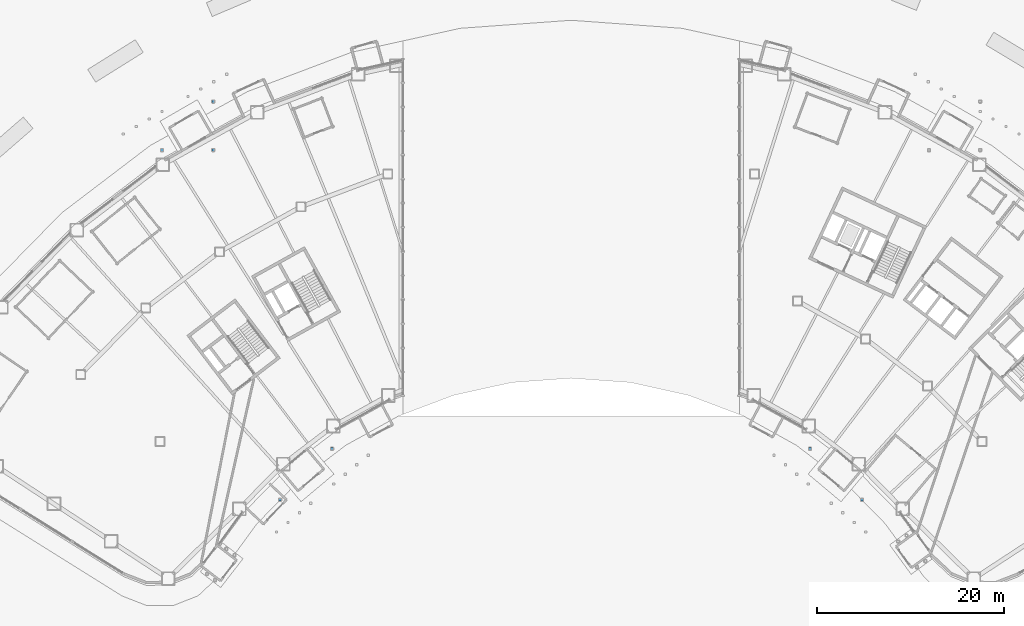
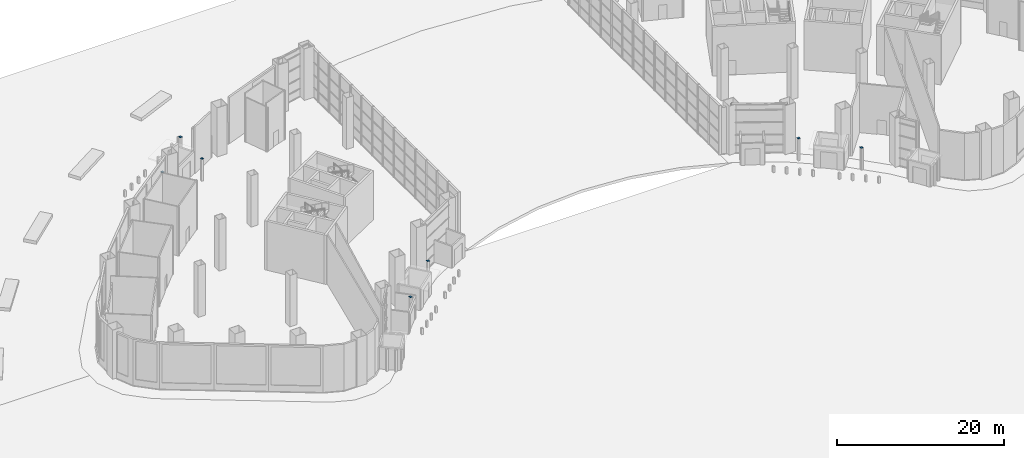
# One storey, part 38 of 45: 7 discrete accessories.
"""IFC4 building model written with IfcOpenShell, lengths in metres."""

from ifc_helpers import new_model, si_unit, direction, frame, origin, origin_2d, place, context, subcontext, project, spatial, rectangle, extrude, material, type_object, element, save


model = new_model("IFC4")

# Units and contexts
model_context = context("Model", 3, precision=1e-05, world=origin(), true_north=direction((0.0, 1.0)))
body_context = subcontext(model_context, "Body", "Model", "MODEL_VIEW")
ifc_project = project(units=[si_unit("LENGTHUNIT", "METRE"), si_unit("AREAUNIT", "SQUARE_METRE"), si_unit("VOLUMEUNIT", "CUBIC_METRE"), si_unit("PLANEANGLEUNIT", "RADIAN"), si_unit("MASSUNIT", "GRAM", prefix="KILO")], contexts=[model_context])

# Site, building, storey
site_placement = place(None, origin())
site = spatial("IfcSite", under=ifc_project, at=site_placement, CompositionType="ELEMENT")
building_placement = place(site_placement, origin())
building = spatial("IfcBuilding", under=site, at=building_placement, Name="Tuul Gate Civic Tower", CompositionType="ELEMENT")
storey_placement = place(building_placement, origin())
storey = spatial("IfcBuildingStorey", under=building, at=storey_placement, Name="Level 00", CompositionType="ELEMENT", Elevation=0.0)

# Discrete accessories
ifc_material = material(Name="Steel S355", Category="steel")
discrete_accessory_type = type_object("IfcDiscreteAccessoryType", Name="End cap plate", PredefinedType="BRACKET", material=ifc_material)
for number, where, z_axis, x_axis, name in (
    (1, (-31.134765625, -28.94580078125, 3.2001953125), (0.0, 0.0, 1.0), (1.0, 0.0, 0.0), "End cap plate"),
    (2, (-25.568359375, -23.477783203125, 3.2001953125), (0.0, 0.0, 1.0), (1.0, 0.0, 0.0), "End cap plate"),
    (3, (31.134765625, -28.94580078125, 3.2001953125), (0.0, 0.0, 1.0), (1.0, 0.0, 0.0), "End cap plate"),
    (4, (25.568359375, -23.477783203125, 3.2001953125), (0.0, 0.0, 1.0), (1.0, 0.0, 0.0), "End cap plate"),
    (5, (-43.775634765625, 8.477294921875, 3.2001953125), (0.0, 0.0, 1.0), (1.0, 0.0, 0.0), "End cap plate"),
    (6, (-38.2919921875, 8.477294921875, 3.2001953125), (0.0, 0.0, 1.0), (1.0, 0.0, 0.0), "End cap plate"),
    (7, (-38.2919921875, 13.668212890625, 3.2001953125), (0.0, 0.0, 1.0), (1.0, 0.0, 0.0), "End cap plate"),
):
    element("IfcDiscreteAccessory", number, at=place(storey_placement, frame(where, z_axis=z_axis, x_axis=x_axis)), inside=storey, type_object=discrete_accessory_type, Name=name, PredefinedType="BRACKET", context=body_context, shape_type="SweptSolid", body=[
        extrude(rectangle(XDim=0.300048828125, YDim=0.300048828125, at=origin_2d()), origin(), (0.0, 0.0, 1.0), 0.030029296875),
    ])

save(model, "model.ifc")
